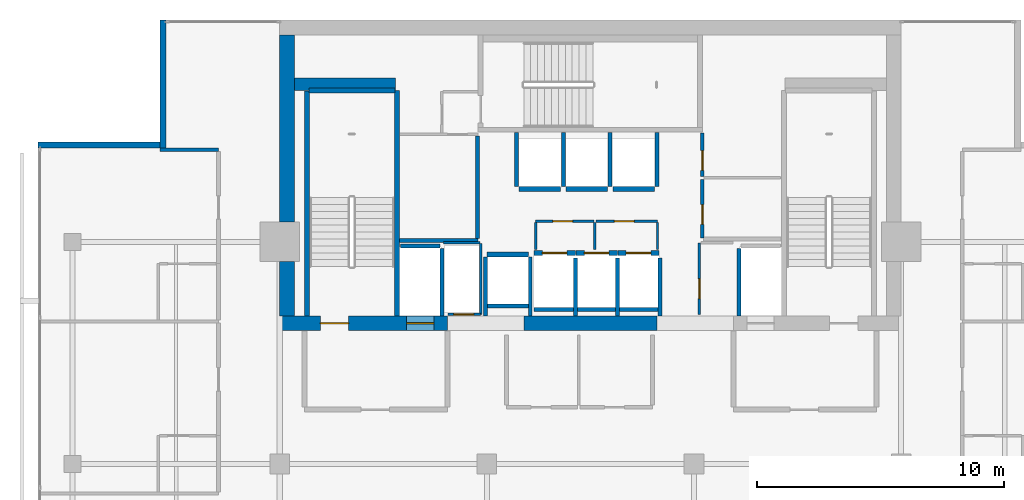
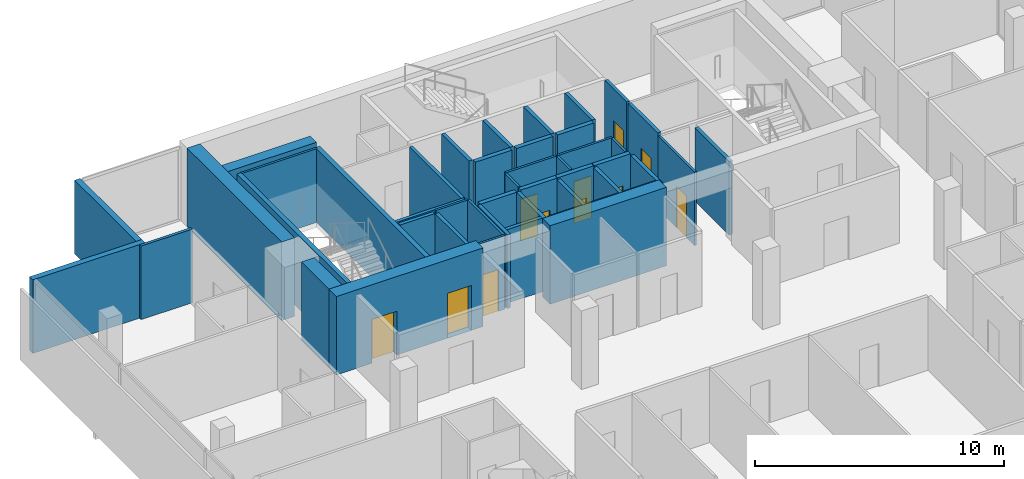
# One storey, part 22 of 26: 45 walls, 11 doors, 11 openings.
"""IFC4 building model written with IfcOpenShell, lengths in metres."""

import ifcopenshell
import ifcopenshell.guid

model = None  # the IFC model being written
_history = None  # IfcOwnerHistory: only IFC2X3 demands one
_inside = {}  # id of a spatial element -> (the spatial element, [elements in it])
_under = {}  # id of a project, library or spatial element -> (it, [spatial elements below it])
_declared = {}  # id of a project -> (the project, [libraries it declares])
_typed = {}  # id of a type object -> (the type object, [elements of that type])
_made_of = {}  # id of a material, layer set ... -> (it, [elements and type objects made of it])


def new_model(schema):
    """Start an empty IFC model of exactly this schema.

    Asked for "IFC4X3", IfcOpenShell would pick the latest addendum, in which some entities
    have other attributes; the version numbers below select the first issue.
    IFC2X3 requires an IfcOwnerHistory on every rooted entity: one is made here for all.
    """
    global model, _history
    if schema == "IFC4X3":
        model = ifcopenshell.file(schema_version=(4, 3, 0, 0))
    else:
        model = ifcopenshell.file(schema=schema)
    _inside.clear()
    _under.clear()
    _declared.clear()
    _typed.clear()
    _made_of.clear()
    _history = None
    if model.schema == "IFC2X3":
        org = make("IfcOrganization", Name="unknown")
        user = make(
            "IfcPersonAndOrganization",
            ThePerson=make("IfcPerson", FamilyName="unknown"),
            TheOrganization=org,
        )
        app = make(
            "IfcApplication",
            ApplicationDeveloper=org,
            Version="unknown",
            ApplicationFullName="unknown",
            ApplicationIdentifier="unknown",
        )
        _history = make(
            "IfcOwnerHistory",
            OwningUser=user,
            OwningApplication=app,
            ChangeAction="ADDED",
            CreationDate=0,
        )
    return model


def make(cls, **values):
    """One entity of the class cls with the attributes given. An attribute that is None is left unset."""
    return model.create_entity(
        cls, **{name: value for name, value in values.items() if value is not None}
    )


def rooted(cls, **values):
    """An entity with a GlobalId (a new one), such as an element, a storey or a relation."""
    return make(cls, GlobalId=ifcopenshell.guid.new(), OwnerHistory=_history, **values)


def si_unit(unit_type, name, prefix=None):
    """IfcSIUnit, for example si_unit("LENGTHUNIT", "METRE", prefix="MILLI")."""
    return make("IfcSIUnit", UnitType=unit_type, Prefix=prefix, Name=name)


def assignment(units):
    """IfcUnitAssignment: the units of a project."""
    return None if units is None else make("IfcUnitAssignment", Units=units)


def point(xyz):
    """IfcCartesianPoint."""
    return None if xyz is None else make("IfcCartesianPoint", Coordinates=xyz)


def direction(xyz):
    """IfcDirection."""
    return None if xyz is None else make("IfcDirection", DirectionRatios=xyz)


def frame(location, z_axis=None, x_axis=None):
    """IfcAxis2Placement3D, a coordinate frame: its origin and axes. An axis left out is left unset."""
    return make(
        "IfcAxis2Placement3D",
        Location=point(location),
        Axis=direction(z_axis),
        RefDirection=direction(x_axis),
    )


def frame_2d(location, x_axis=None):
    """IfcAxis2Placement2D, a coordinate frame in the plane: its origin and x axis."""
    return make(
        "IfcAxis2Placement2D", Location=point(location), RefDirection=direction(x_axis)
    )


def origin():
    """The frame at (0, 0, 0) with its axes left unset."""
    return frame((0.0, 0.0, 0.0))


def place(relative_to, where):
    """IfcLocalPlacement: puts the frame where relative to a parent placement (None: the world)."""
    return make(
        "IfcLocalPlacement", PlacementRelTo=relative_to, RelativePlacement=where
    )


def context(
    kind, dimensions, precision=None, world=None, true_north=None, identifier=None
):
    """IfcGeometricRepresentationContext, for example the 3D "Model" context."""
    return make(
        "IfcGeometricRepresentationContext",
        ContextIdentifier=identifier,
        ContextType=kind,
        CoordinateSpaceDimension=dimensions,
        Precision=precision,
        WorldCoordinateSystem=world,
        TrueNorth=true_north,
    )


def subcontext(parent, identifier, kind, view, scale=None):
    """IfcGeometricRepresentationSubContext, for example "Body" below "Model"."""
    return make(
        "IfcGeometricRepresentationSubContext",
        ContextIdentifier=identifier,
        ContextType=kind,
        ParentContext=parent,
        TargetScale=scale,
        TargetView=view,
    )


def project(units=None, contexts=None):
    """IfcProject with its units and contexts."""
    return rooted(
        "IfcProject",
        Name="project",
        RepresentationContexts=contexts,
        UnitsInContext=assignment(units),
    )


def spatial(cls, under=None, at=None, **own):
    """A site, building, storey or space (cls), placed at a placement, below another one or the project."""
    s = rooted(cls, ObjectPlacement=at, **own)
    if under is not None:
        _under.setdefault(under.id(), (under, []))[1].append(s)
    return s


def profile(cls, at=None, kind="AREA", **sizes):
    """A parametric profile (cls). Its sizes go by their IFC names, for example OverallWidth=200.0."""
    return make(cls, ProfileType=kind, Position=at, **sizes)


def rectangle(**sizes):
    """IfcRectangleProfileDef."""
    return profile("IfcRectangleProfileDef", **sizes)


def extrude(swept, where, along, depth):
    """IfcExtrudedAreaSolid: the profile swept, set in the frame where, extruded along a direction by depth."""
    return make(
        "IfcExtrudedAreaSolid",
        SweptArea=swept,
        Position=where,
        ExtrudedDirection=direction(along),
        Depth=depth,
    )


def shape(context_of_items, identifier, shape_type, items):
    """IfcShapeRepresentation: the items that make up one representation, for example the "Body"."""
    return make(
        "IfcShapeRepresentation",
        ContextOfItems=context_of_items,
        RepresentationIdentifier=identifier,
        RepresentationType=shape_type,
        Items=items,
    )


def material(Name=None, Category=None):
    """IfcMaterial."""
    return make("IfcMaterial", Name=Name, Category=Category)


def layer(
    of_material, thickness, ventilated=None, Name=None, Category=None, Priority=None
):
    """IfcMaterialLayer: one layer of a wall or slab, of a material (None: an air gap)."""
    return make(
        "IfcMaterialLayer",
        Material=of_material,
        LayerThickness=thickness,
        IsVentilated=ventilated,
        Name=Name,
        Category=Category,
        Priority=Priority,
    )


def layer_set(layers, Name=None):
    """IfcMaterialLayerSet."""
    return make("IfcMaterialLayerSet", MaterialLayers=layers, LayerSetName=Name)


def made_of(thing, what):
    """Note that an element or type object is made of a material, layer set ...; save() writes the relation."""
    if what is not None:
        _made_of.setdefault(what.id(), (what, []))[1].append(thing)
    return thing


def type_object(cls, material=None, **own):
    """A type object (cls), such as IfcWallType, which elements share."""
    return made_of(rooted(cls, **own), material)


def element(
    cls,
    number,
    at=None,
    inside=None,
    cuts=None,
    type_object=None,
    material=None,
    context=None,
    identifier="Body",
    shape_type=None,
    held_by="IfcProductDefinitionShape",
    body=None,
    shapes=None,
    **own,
):
    """One element of the class cls, such as IfcWall. Its Tag is "e" and its number.

    at: its placement. inside: the storey or other place that contains it. cuts: it is an
    opening in that element (IfcRelVoidsElement). A single representation is given by context,
    identifier, shape_type and body (its items); several are given by shapes. held_by: the class
    of the entity that holds the representations. save() writes the other relations.
    """
    e = rooted(cls, Tag="e%d" % number, ObjectPlacement=at, **own)
    if body is not None:
        shapes = [shape(context, identifier, shape_type, body)]
    if shapes is not None:
        e.Representation = make(held_by, Representations=shapes)
    if inside is not None:
        _inside.setdefault(inside.id(), (inside, []))[1].append(e)
    if cuts is not None:
        rooted(
            "IfcRelVoidsElement", RelatingBuildingElement=cuts, RelatedOpeningElement=e
        )
    if type_object is not None:
        _typed.setdefault(type_object.id(), (type_object, []))[1].append(e)
    return made_of(e, material)


def fill(opening, filler):
    """IfcRelFillsElement: the door or window that sits in an opening."""
    return rooted(
        "IfcRelFillsElement",
        RelatingOpeningElement=opening,
        RelatedBuildingElement=filler,
    )


def aggregate(whole, parts):
    """IfcRelAggregates: a whole, such as a stair, and the parts it consists of."""
    return rooted("IfcRelAggregates", RelatingObject=whole, RelatedObjects=parts)


def save(model, path):
    """Write the relations noted so far, then the file.

    IfcRelAggregates (storeys below a building ...), IfcRelContainedInSpatialStructure (elements
    in a storey), IfcRelDefinesByType, IfcRelAssociatesMaterial and IfcRelDeclares: one each for
    every whole, place, type object, material and project.
    """
    for whole, parts in _under.values():
        aggregate(whole, parts)
    for where, things in _inside.values():
        rooted(
            "IfcRelContainedInSpatialStructure",
            RelatedElements=things,
            RelatingStructure=where,
        )
    for kind, things in _typed.values():
        rooted("IfcRelDefinesByType", RelatedObjects=things, RelatingType=kind)
    for what, things in _made_of.values():
        rooted("IfcRelAssociatesMaterial", RelatedObjects=things, RelatingMaterial=what)
    for by, libraries in _declared.values():
        rooted("IfcRelDeclares", RelatingContext=by, RelatedDefinitions=libraries)
    model.write(path)


model = new_model("IFC4")

# Units and contexts
model_context = context("Model", 3, precision=1e-05, world=origin(), true_north=direction((0.0, 1.0)))
body_context = subcontext(model_context, "Body", "Model", "MODEL_VIEW")
ifc_project = project(units=[si_unit("LENGTHUNIT", "METRE"), si_unit("AREAUNIT", "SQUARE_METRE"), si_unit("VOLUMEUNIT", "CUBIC_METRE"), si_unit("PLANEANGLEUNIT", "RADIAN"), si_unit("MASSUNIT", "GRAM", prefix="KILO")], contexts=[model_context])

# Site, building, storey
site_placement = place(None, origin())
site = spatial("IfcSite", under=ifc_project, at=site_placement, CompositionType="ELEMENT")
building_placement = place(site_placement, origin())
building = spatial("IfcBuilding", under=site, at=building_placement, Name="Maruvema Waterfront Hotel and Observation Tower", CompositionType="ELEMENT")
storey_placement = place(building_placement, frame((0.0, 0.0, 266.35009765625)))
storey = spatial("IfcBuildingStorey", under=building, at=storey_placement, Name="L65", CompositionType="ELEMENT", Elevation=266.35009765625)

# Walls
ifc_material_1 = material(Name="Twin-stud acoustic gypsum drywall", Category="gypsum")
ifc_layer_1 = layer(ifc_material_1, 0.14990234375, Name="Acoustic Corridor and Suite Demising Wall 150 mm")
ifc_layer_set_1 = layer_set([ifc_layer_1], Name="Twin-stud acoustic gypsum drywall")
wall_type_1 = type_object("IfcWallType", Name="Acoustic Corridor and Suite Demising Wall 150 mm", PredefinedType="PARTITIONING", material=ifc_layer_set_1)
wall_1_placement = place(storey_placement, frame((30.06005859375, 45.06005859375, 0.0), z_axis=(0.0, 0.0, 1.0), x_axis=(1.0, 0.0, 0.0)))
element("IfcWall", 1, at=wall_1_placement, inside=storey, type_object=wall_type_1, Name="L65 Freed B1 South Wall 017", PredefinedType="PARTITIONING", context=body_context, shape_type="SweptSolid", body=[
    extrude(rectangle(XDim=3.179931640625, YDim=0.14990234375, at=frame_2d((1.58984375, 0.0))), origin(), (0.0, 0.0, 1.0), 3.60986328125),
])
wall_2_placement = place(storey_placement, frame((33.219970703125, 45.139892578125, 0.0), z_axis=(0.0, 0.0, 1.0), x_axis=(0.0, 1.0, 0.0)))
element("IfcWall", 2, at=wall_2_placement, inside=storey, type_object=wall_type_1, Name="L65 Freed B1 East Wall 018", PredefinedType="PARTITIONING", context=body_context, shape_type="SweptSolid", body=[
    extrude(rectangle(XDim=4.16015625, YDim=0.14990234375, at=frame_2d((2.080078125, 0.0))), origin(), (0.0, 0.0, 1.0), 3.60986328125),
])

# Wall, opening, door
wall_3_placement = place(storey_placement, frame((42.340087890625, 45.159912109375, 0.0), z_axis=(0.0, 0.0, 1.0), x_axis=(0.0, 1.0, 0.0)))
wall_3 = element("IfcWall", 3, at=wall_3_placement, inside=storey, type_object=wall_type_1, Name="L65 Freed B2 West S 022", PredefinedType="PARTITIONING", context=body_context, shape_type="SweptSolid", body=[
    extrude(rectangle(XDim=2.380126953125, YDim=0.14990234375, at=frame_2d((1.18994140625, 0.0))), origin(), (0.0, 0.0, 1.0), 3.60986328125),
])
opening_1_placement = place(wall_3_placement, frame((0.550048828125, 0.0, 0.0)))
opening_1 = element("IfcOpeningElement", 4, at=opening_1_placement, cuts=wall_3, Name="Opening DR-080", PredefinedType="OPENING", context=body_context, shape_type="SweptSolid", body=[
    extrude(rectangle(XDim=0.800048828125, YDim=2.050048828125, at=frame_2d((0.39990234375, 1.02490234375))), frame((0.0, 0.0849609375, 0.0), z_axis=(0.0, -1.0, 0.0), x_axis=(1.0, 0.0, 0.0)), (0.0, 0.0, 1.0), 0.169921875),
])
ifc_material_2 = material(Name="Powder-coated steel access leaf", Category="steel")
door_type_1 = type_object("IfcDoorType", Name="Riser and Service Cupboard Door 800x2050 mm", OperationType="NOTDEFINED", PredefinedType="DOOR", material=ifc_material_2)
door_1_placement = place(opening_1_placement, frame((0.800048828125, 0.0, 0.0), z_axis=(0.0, 0.0, 1.0), x_axis=(-1.0, 0.0, 0.0)))
door_1 = element("IfcDoor", 5, at=door_1_placement, inside=storey, type_object=door_type_1, Name="L65 Butler Service Pantry Door", OperationType="SINGLE_SWING_LEFT", OverallHeight=2.050048828125, OverallWidth=0.800048828125, PredefinedType="DOOR", context=body_context, shape_type="SweptSolid", body=[
    extrude(rectangle(XDim=0.800048828125, YDim=2.050048828125, at=frame_2d((0.39990234375, 1.02490234375))), frame((0.0, 0.02490234375, 0.0), z_axis=(0.0, -1.0, 0.0), x_axis=(1.0, 0.0, 0.0)), (0.0, 0.0, 1.0), 0.050048828125),
])
fill(opening_1, door_1)

wall_4_placement = place(storey_placement, frame((42.340087890625, 47.659912109375, 0.0), z_axis=(0.0, 0.0, 1.0), x_axis=(0.0, 1.0, 0.0)))
wall_4 = element("IfcWall", 6, at=wall_4_placement, inside=storey, type_object=wall_type_1, Name="L65 Freed B2 West N 023", PredefinedType="PARTITIONING", context=body_context, shape_type="SweptSolid", body=[
    extrude(rectangle(XDim=1.760009765625, YDim=0.14990234375, at=frame_2d((0.8798828125, 0.0))), origin(), (0.0, 0.0, 1.0), 3.60986328125),
])
opening_2_placement = place(wall_4_placement, frame((0.239990234375, 0.0, 0.0)))
opening_2 = element("IfcOpeningElement", 7, at=opening_2_placement, cuts=wall_4, Name="Opening DR-080", PredefinedType="OPENING", context=body_context, shape_type="SweptSolid", body=[
    extrude(rectangle(XDim=0.800048828125, YDim=2.050048828125, at=frame_2d((0.39990234375, 1.02490234375))), frame((0.0, 0.0849609375, 0.0), z_axis=(0.0, -1.0, 0.0), x_axis=(1.0, 0.0, 0.0)), (0.0, 0.0, 1.0), 0.169921875),
])
door_2_placement = place(opening_2_placement, frame((0.800048828125, 0.0, 0.0), z_axis=(0.0, 0.0, 1.0), x_axis=(-1.0, 0.0, 0.0)))
door_2 = element("IfcDoor", 8, at=door_2_placement, inside=storey, type_object=door_type_1, Name="L65 Core IT and Linen Store Door", OperationType="SINGLE_SWING_RIGHT", OverallHeight=2.050048828125, OverallWidth=0.800048828125, PredefinedType="DOOR", context=body_context, shape_type="SweptSolid", body=[
    extrude(rectangle(XDim=0.800048828125, YDim=2.050048828125, at=frame_2d((0.39990234375, 1.02490234375))), frame((0.0, 0.02490234375, 0.0), z_axis=(0.0, -1.0, 0.0), x_axis=(1.0, 0.0, 0.0)), (0.0, 0.0, 1.0), 0.050048828125),
])
fill(opening_2, door_2)

# Walls
ifc_material_3 = material(Name="Precast concrete C45/55", Category="concrete")
ifc_layer_2 = layer(ifc_material_3, 0.199951171875, Name="Core Shaft and Stairwell Enclosure Wall 200 mm")
ifc_layer_set_2 = layer_set([ifc_layer_2], Name="Precast concrete C45/55")
wall_type_2 = type_object("IfcWallType", Name="Core Shaft and Stairwell Enclosure Wall 200 mm", PredefinedType="SOLIDWALL", material=ifc_layer_set_2)
wall_5_placement = place(storey_placement, frame((29.949951171875, 42.0, 0.0), z_axis=(0.0, 0.0, 1.0), x_axis=(0.0, 1.0, 0.0)))
element("IfcWall", 9, at=wall_5_placement, inside=storey, type_object=wall_type_2, Name="L65 Stairwell ST-01 East Shaft Wall", PredefinedType="SOLIDWALL", context=body_context, shape_type="SweptSolid", body=[
    extrude(rectangle(XDim=9.14990234375, YDim=0.199951171875, at=frame_2d((4.574951171875, 0.0))), origin(), (0.0, 0.0, 1.0), 3.60986328125),
])
wall_6_placement = place(storey_placement, frame((26.300048828125, 42.0, 0.0), z_axis=(0.0, 0.0, 1.0), x_axis=(0.0, 1.0, 0.0)))
element("IfcWall", 10, at=wall_6_placement, inside=storey, type_object=wall_type_2, Name="L65 Stairwell ST-01 Shaft Lining Wall", PredefinedType="SOLIDWALL", context=body_context, shape_type="SweptSolid", body=[
    extrude(rectangle(XDim=9.1201171875, YDim=0.199951171875, at=frame_2d((4.56005859375, 0.0))), origin(), (0.0, 0.0, 1.0), 3.60986328125),
])
wall_7_placement = place(storey_placement, frame((26.3798828125, 51.14990234375, 0.0), z_axis=(0.0, 0.0, 1.0), x_axis=(1.0, 0.0, 0.0)))
element("IfcWall", 11, at=wall_7_placement, inside=storey, type_object=wall_type_2, Name="L65 Stairwell ST-01 Shaft Lining Wall", PredefinedType="SOLIDWALL", context=body_context, shape_type="SweptSolid", body=[
    extrude(rectangle(XDim=3.5, YDim=0.199951171875, at=frame_2d((1.75, 0.0))), origin(), (0.0, 0.0, 1.0), 3.60986328125),
])

# Wall, opening, door
wall_8_placement = place(storey_placement, frame((35.510009765625, 44.550048828125, 0.0), z_axis=(0.0, 0.0, 1.0), x_axis=(1.0, 0.0, 0.0)))
wall_8 = element("IfcWall", 12, at=wall_8_placement, inside=storey, type_object=wall_type_2, Name="L65 Lift LF-09 Hoistway Front Wall", PredefinedType="SOLIDWALL", context=body_context, shape_type="SweptSolid", body=[
    extrude(rectangle(XDim=1.679931640625, YDim=0.199951171875, at=frame_2d((0.83984375, 0.0))), origin(), (0.0, 0.0, 1.0), 3.60986328125),
])
opening_3_placement = place(wall_8_placement, frame((0.340087890625, 0.0, 0.0)))
opening_3 = element("IfcOpeningElement", 13, at=opening_3_placement, cuts=wall_8, Name="Opening LD-01", PredefinedType="OPENING", context=body_context, shape_type="SweptSolid", body=[
    extrude(rectangle(XDim=1.0, YDim=2.14990234375, at=frame_2d((0.5, 1.074951171875))), frame((0.0, 0.10986328125, 0.0), z_axis=(0.0, -1.0, 0.0), x_axis=(1.0, 0.0, 0.0)), (0.0, 0.0, 1.0), 0.219970703125),
])
ifc_material_4 = material(Name="Brushed stainless steel Grade 316", Category="steel")
door_type_2 = type_object("IfcDoorType", Name="Passenger Lift Sliding Landing Door 1000x2150 mm", OperationType="SLIDING_TO_LEFT", PredefinedType="DOOR", material=ifc_material_4)
door_3_placement = place(opening_3_placement, origin())
door_3 = element("IfcDoor", 14, at=door_3_placement, inside=storey, type_object=door_type_2, Name="L65 Lift LF-09 Sliding Landing Door", OperationType="SLIDING_TO_LEFT", OverallHeight=2.14990234375, OverallWidth=1.0, PredefinedType="DOOR", context=body_context, shape_type="SweptSolid", body=[
    extrude(rectangle(XDim=1.0, YDim=2.14990234375, at=frame_2d((0.5, 1.074951171875))), frame((0.0, 0.02490234375, 0.0), z_axis=(0.0, -1.0, 0.0), x_axis=(1.0, 0.0, 0.0)), (0.0, 0.0, 1.0), 0.050048828125),
])
fill(opening_3, door_3)

wall_9_placement = place(storey_placement, frame((37.2099609375, 44.550048828125, 0.0), z_axis=(0.0, 0.0, 1.0), x_axis=(1.0, 0.0, 0.0)))
wall_9 = element("IfcWall", 15, at=wall_9_placement, inside=storey, type_object=wall_type_2, Name="L65 Lift LF-10 Hoistway Front Wall", PredefinedType="SOLIDWALL", context=body_context, shape_type="SweptSolid", body=[
    extrude(rectangle(XDim=1.679931640625, YDim=0.199951171875, at=frame_2d((0.83984375, 0.0))), origin(), (0.0, 0.0, 1.0), 3.60986328125),
])
opening_4_placement = place(wall_9_placement, frame((0.340087890625, 0.0, 0.0)))
opening_4 = element("IfcOpeningElement", 16, at=opening_4_placement, cuts=wall_9, Name="Opening LD-01", PredefinedType="OPENING", context=body_context, shape_type="SweptSolid", body=[
    extrude(rectangle(XDim=1.0, YDim=2.14990234375, at=frame_2d((0.5, 1.074951171875))), frame((0.0, 0.10986328125, 0.0), z_axis=(0.0, -1.0, 0.0), x_axis=(1.0, 0.0, 0.0)), (0.0, 0.0, 1.0), 0.219970703125),
])
door_4_placement = place(opening_4_placement, origin())
door_4 = element("IfcDoor", 17, at=door_4_placement, inside=storey, type_object=door_type_2, Name="L65 Lift LF-10 Sliding Landing Door", OperationType="SLIDING_TO_LEFT", OverallHeight=2.14990234375, OverallWidth=1.0, PredefinedType="DOOR", context=body_context, shape_type="SweptSolid", body=[
    extrude(rectangle(XDim=1.0, YDim=2.14990234375, at=frame_2d((0.5, 1.074951171875))), frame((0.0, 0.02490234375, 0.0), z_axis=(0.0, -1.0, 0.0), x_axis=(1.0, 0.0, 0.0)), (0.0, 0.0, 1.0), 0.050048828125),
])
fill(opening_4, door_4)

wall_10_placement = place(storey_placement, frame((38.909912109375, 44.550048828125, 0.0), z_axis=(0.0, 0.0, 1.0), x_axis=(1.0, 0.0, 0.0)))
wall_10 = element("IfcWall", 18, at=wall_10_placement, inside=storey, type_object=wall_type_2, Name="L65 Lift LF-11 Hoistway Front Wall", PredefinedType="SOLIDWALL", context=body_context, shape_type="SweptSolid", body=[
    extrude(rectangle(XDim=1.68017578125, YDim=0.199951171875, at=frame_2d((0.840087890625, 0.0))), origin(), (0.0, 0.0, 1.0), 3.60986328125),
])
opening_5_placement = place(wall_10_placement, frame((0.340087890625, 0.0, 0.0)))
opening_5 = element("IfcOpeningElement", 19, at=opening_5_placement, cuts=wall_10, Name="Opening LD-01", PredefinedType="OPENING", context=body_context, shape_type="SweptSolid", body=[
    extrude(rectangle(XDim=1.0, YDim=2.14990234375, at=frame_2d((0.5, 1.074951171875))), frame((0.0, 0.10986328125, 0.0), z_axis=(0.0, -1.0, 0.0), x_axis=(1.0, 0.0, 0.0)), (0.0, 0.0, 1.0), 0.219970703125),
])
door_5_placement = place(opening_5_placement, origin())
door_5 = element("IfcDoor", 20, at=door_5_placement, inside=storey, type_object=door_type_2, Name="L65 Lift LF-11 Sliding Landing Door", OperationType="SLIDING_TO_LEFT", OverallHeight=2.14990234375, OverallWidth=1.0, PredefinedType="DOOR", context=body_context, shape_type="SweptSolid", body=[
    extrude(rectangle(XDim=1.0, YDim=2.14990234375, at=frame_2d((0.5, 1.074951171875))), frame((0.0, 0.02490234375, 0.0), z_axis=(0.0, -1.0, 0.0), x_axis=(1.0, 0.0, 0.0)), (0.0, 0.0, 1.0), 0.050048828125),
])
fill(opening_5, door_5)

# Walls
wall_11_placement = place(storey_placement, frame((34.909912109375, 47.14990234375, 0.0), z_axis=(0.0, 0.0, 1.0), x_axis=(1.0, 0.0, 0.0)))
element("IfcWall", 21, at=wall_11_placement, inside=storey, type_object=wall_type_2, Name="L65 Lift LF-12 Hoistway Front Wall", PredefinedType="SOLIDWALL", context=body_context, shape_type="SweptSolid", body=[
    extrude(rectangle(XDim=1.68017578125, YDim=0.199951171875, at=frame_2d((0.840087890625, 0.0))), origin(), (0.0, 0.0, 1.0), 3.60986328125),
])
for number, where, z_axis, x_axis, name in (
    (22, (36.81005859375, 47.14990234375, 0.0), (0.0, 0.0, 1.0), (1.0, 0.0, 0.0), "L65 Lift LF-13 Hoistway Front Wall"),
    (23, (38.7099609375, 47.14990234375, 0.0), (0.0, 0.0, 1.0), (1.0, 0.0, 0.0), "L65 Lift LF-14 Hoistway Front Wall"),
    (24, (33.610107421875, 44.5, 0.0), (0.0, 0.0, 1.0), (1.0, 0.0, 0.0), "L65 Lift LF-15 Hoistway Front Wall"),
):
    element("IfcWall", number, at=place(storey_placement, frame(where, z_axis=z_axis, x_axis=x_axis)), inside=storey, type_object=wall_type_2, Name=name, PredefinedType="SOLIDWALL", context=body_context, shape_type="SweptSolid", body=[
        extrude(rectangle(XDim=1.679931640625, YDim=0.199951171875, at=frame_2d((0.83984375, 0.0))), origin(), (0.0, 0.0, 1.0), 3.60986328125),
    ])
ifc_material_5 = material(Name="Concrete C70/85", Category="concrete")
ifc_layer_3 = layer(ifc_material_5, 0.5, Name="Core Shear Wall 500 mm")
ifc_layer_set_3 = layer_set([ifc_layer_3], Name="Concrete C70/85")
wall_type_3 = type_object("IfcWallType", Name="Core Shear Wall 500 mm", PredefinedType="SHEAR", material=ifc_layer_set_3)
wall_12_placement = place(storey_placement, frame((25.800048828125, 51.39990234375, 0.0), z_axis=(0.0, 0.0, 1.0), x_axis=(1.0, 0.0, 0.0)))
element("IfcWall", 25, at=wall_12_placement, inside=storey, type_object=wall_type_3, Name="L65 Internal Core Shear Wall NW 500 mm", PredefinedType="SHEAR", context=body_context, shape_type="SweptSolid", body=[
    extrude(rectangle(XDim=4.099853515625, YDim=0.5, at=frame_2d((2.0498046875, 0.0))), origin(), (0.0, 0.0, 1.0), 3.849853515625),
])

# Wall, openings, doors
ifc_material_6 = material(Name="Concrete C60/75", Category="concrete")
ifc_layer_4 = layer(ifc_material_6, 0.60009765625, Name="Core Shear Wall 600 mm")
ifc_layer_set_4 = layer_set([ifc_layer_4], Name="Concrete C60/75")
wall_type_4 = type_object("IfcWallType", Name="Core Shear Wall 600 mm", PredefinedType="SHEAR", material=ifc_layer_set_4)
wall_13_placement = place(storey_placement, frame((25.199951171875, 41.699951171875, 0.0), z_axis=(0.0, 0.0, 1.0), x_axis=(1.0, 0.0, 0.0)))
wall_13 = element("IfcWall", 26, at=wall_13_placement, inside=storey, type_object=wall_type_4, Name="L65 South-West Core Shear Wall", PredefinedType="SHEAR", context=body_context, shape_type="SweptSolid", body=[
    extrude(rectangle(XDim=6.800048828125, YDim=0.60009765625, at=frame_2d((3.39990234375, 0.0))), origin(), (0.0, 0.0, 1.0), 3.849853515625),
])
opening_6_placement = place(wall_13_placement, frame((1.64990234375, 0.0, 0.0)))
opening_6 = element("IfcOpeningElement", 27, at=opening_6_placement, cuts=wall_13, Name="Opening SD-01", PredefinedType="OPENING", context=body_context, shape_type="SweptSolid", body=[
    extrude(rectangle(XDim=1.14990234375, YDim=2.14990234375, at=frame_2d((0.574951171875, 1.074951171875))), frame((0.0, 0.31005859375, 0.0), z_axis=(0.0, -1.0, 0.0), x_axis=(1.0, 0.0, 0.0)), (0.0, 0.0, 1.0), 0.6201171875),
])
opening_7_placement = place(wall_13_placement, frame((5.14990234375, 0.0, 0.0)))
opening_7 = element("IfcOpeningElement", 28, at=opening_7_placement, cuts=wall_13, Name="Opening LD-03", PredefinedType="OPENING", context=body_context, shape_type="SweptSolid", body=[
    extrude(rectangle(XDim=1.10009765625, YDim=2.199951171875, at=frame_2d((0.550048828125, 1.10009765625))), frame((0.0, 0.31005859375, 0.0), z_axis=(0.0, -1.0, 0.0), x_axis=(1.0, 0.0, 0.0)), (0.0, 0.0, 1.0), 0.6201171875),
])
ifc_material_7 = material(Name="Fire-rated galvanised steel leaf", Category="steel")
door_type_3 = type_object("IfcDoorType", Name="Exit Stair Fire Door 1150x2150 mm", OperationType="NOTDEFINED", PredefinedType="DOOR", material=ifc_material_7)
door_6_placement = place(opening_6_placement, origin())
door_6 = element("IfcDoor", 29, at=door_6_placement, inside=storey, type_object=door_type_3, Name="L65 Exit Stair ST-01 Fire Door", OperationType="SINGLE_SWING_LEFT", OverallHeight=2.14990234375, OverallWidth=1.14990234375, PredefinedType="DOOR", context=body_context, shape_type="SweptSolid", body=[
    extrude(rectangle(XDim=1.14990234375, YDim=2.14990234375, at=frame_2d((0.574951171875, 1.074951171875))), frame((0.0, 0.02490234375, 0.0), z_axis=(0.0, -1.0, 0.0), x_axis=(1.0, 0.0, 0.0)), (0.0, 0.0, 1.0), 0.050048828125),
])
fill(opening_6, door_6)
ifc_material_8 = material(Name="Brushed stainless steel Grade 316", Category="steel")
door_type_4 = type_object("IfcDoorType", Name="Firefighting Lift Sliding Landing Door 1100x2200 mm", OperationType="SLIDING_TO_LEFT", PredefinedType="DOOR", material=ifc_material_8)
door_7_placement = place(opening_7_placement, frame((1.10009765625, 0.0, 0.0), z_axis=(0.0, 0.0, 1.0), x_axis=(-1.0, 0.0, 0.0)))
door_7 = element("IfcDoor", 30, at=door_7_placement, inside=storey, type_object=door_type_4, Name="L65 Firefighting Lift FL-01 Landing Door", OperationType="SLIDING_TO_LEFT", OverallHeight=2.199951171875, OverallWidth=1.10009765625, PredefinedType="DOOR", context=body_context, shape_type="SweptSolid", body=[
    extrude(rectangle(XDim=1.10009765625, YDim=2.199951171875, at=frame_2d((0.550048828125, 1.10009765625))), frame((0.0, 0.02490234375, 0.0), z_axis=(0.0, -1.0, 0.0), x_axis=(1.0, 0.0, 0.0)), (0.0, 0.0, 1.0), 0.050048828125),
])
fill(opening_7, door_7)

# Walls
wall_14_placement = place(storey_placement, frame((35.10009765625, 41.699951171875, 0.0), z_axis=(0.0, 0.0, 1.0), x_axis=(1.0, 0.0, 0.0)))
element("IfcWall", 31, at=wall_14_placement, inside=storey, type_object=wall_type_4, Name="L65 South-Central Core Shear Wall", PredefinedType="SHEAR", context=body_context, shape_type="SweptSolid", body=[
    extrude(rectangle(XDim=5.39990234375, YDim=0.60009765625, at=frame_2d((2.699951171875, 0.0))), origin(), (0.0, 0.0, 1.0), 3.849853515625),
])
wall_15_placement = place(storey_placement, frame((25.5, 42.0, 0.0), z_axis=(0.0, 0.0, 1.0), x_axis=(0.0, 1.0, 0.0)))
element("IfcWall", 32, at=wall_15_placement, inside=storey, type_object=wall_type_4, Name="L65 West-South Core Shear Wall", PredefinedType="SHEAR", context=body_context, shape_type="SweptSolid", body=[
    extrude(rectangle(XDim=2.199951171875, YDim=0.60009765625, at=frame_2d((1.10009765625, 0.0))), origin(), (0.0, 0.0, 1.0), 3.849853515625),
])
wall_16_placement = place(storey_placement, frame((25.5, 45.800048828125, 0.0), z_axis=(0.0, 0.0, 1.0), x_axis=(0.0, 1.0, 0.0)))
element("IfcWall", 33, at=wall_16_placement, inside=storey, type_object=wall_type_4, Name="L65 West-North Core Shear Wall", PredefinedType="SHEAR", context=body_context, shape_type="SweptSolid", body=[
    extrude(rectangle(XDim=7.599853515625, YDim=0.60009765625, at=frame_2d((3.7998046875, 0.0))), origin(), (0.0, 0.0, 1.0), 3.849853515625),
])

# Wall, opening, door
ifc_material_9 = material(Name="Moisture-resistant cement-board drywall", Category="gypsum")
ifc_layer_5 = layer(ifc_material_9, 0.10009765625, Name="En-Suite Moisture-Resistant Partition 100 mm")
ifc_layer_set_5 = layer_set([ifc_layer_5], Name="Moisture-resistant cement-board drywall")
wall_type_5 = type_object("IfcWallType", Name="En-Suite Moisture-Resistant Partition 100 mm", PredefinedType="PARTITIONING", material=ifc_layer_set_5)
wall_17_placement = place(storey_placement, frame((32.02001953125, 42.06005859375, 0.0), z_axis=(0.0, 0.0, 1.0), x_axis=(1.0, 0.0, 0.0)))
wall_17 = element("IfcWall", 34, at=wall_17_placement, inside=storey, type_object=wall_type_5, Name="L65 Telecom Riser South Wall 007", PredefinedType="PARTITIONING", context=body_context, shape_type="SweptSolid", body=[
    extrude(rectangle(XDim=1.320068359375, YDim=0.10009765625, at=frame_2d((0.66015625, 0.0))), origin(), (0.0, 0.0, 1.0), 3.60986328125),
])
opening_8_placement = place(wall_17_placement, frame((0.239990234375, 0.0, 0.0)))
opening_8 = element("IfcOpeningElement", 35, at=opening_8_placement, cuts=wall_17, Name="Opening DR-080", PredefinedType="OPENING", context=body_context, shape_type="SweptSolid", body=[
    extrude(rectangle(XDim=0.800048828125, YDim=2.050048828125, at=frame_2d((0.39990234375, 1.02490234375))), frame((0.0, 0.06005859375, 0.0), z_axis=(0.0, -1.0, 0.0), x_axis=(1.0, 0.0, 0.0)), (0.0, 0.0, 1.0), 0.1201171875),
])
door_8_placement = place(opening_8_placement, frame((0.800048828125, 0.0, 0.0), z_axis=(0.0, 0.0, 1.0), x_axis=(-1.0, 0.0, 0.0)))
door_8 = element("IfcDoor", 36, at=door_8_placement, inside=storey, type_object=door_type_1, Name="L65 Telecom Riser Door", OperationType="SINGLE_SWING_LEFT", OverallHeight=2.050048828125, OverallWidth=0.800048828125, PredefinedType="DOOR", context=body_context, shape_type="SweptSolid", body=[
    extrude(rectangle(XDim=0.800048828125, YDim=2.050048828125, at=frame_2d((0.39990234375, 1.02490234375))), frame((0.0, 0.02490234375, 0.0), z_axis=(0.0, -1.0, 0.0), x_axis=(1.0, 0.0, 0.0)), (0.0, 0.0, 1.0), 0.050048828125),
])
fill(opening_8, door_8)

# Walls
wall_18_placement = place(storey_placement, frame((31.840087890625, 44.9599609375, 0.0), z_axis=(0.0, 0.0, 1.0), x_axis=(1.0, 0.0, 0.0)))
element("IfcWall", 37, at=wall_18_placement, inside=storey, type_object=wall_type_5, Name="L65 Telecom Riser North Wall 008", PredefinedType="PARTITIONING", context=body_context, shape_type="SweptSolid", body=[
    extrude(rectangle(XDim=1.47998046875, YDim=0.10009765625, at=frame_2d((0.739990234375, 0.0))), origin(), (0.0, 0.0, 1.0), 3.60986328125),
])
wall_19_placement = place(storey_placement, frame((33.360107421875, 42.06005859375, 0.0), z_axis=(0.0, 0.0, 1.0), x_axis=(0.0, 1.0, 0.0)))
element("IfcWall", 38, at=wall_19_placement, inside=storey, type_object=wall_type_5, Name="L65 Telecom Riser East Wall 009", PredefinedType="PARTITIONING", context=body_context, shape_type="SweptSolid", body=[
    extrude(rectangle(XDim=2.8798828125, YDim=0.10009765625, at=frame_2d((1.43994140625, 0.0))), origin(), (0.0, 0.0, 1.0), 3.60986328125),
])

# Wall, opening, door
wall_20_placement = place(storey_placement, frame((35.580078125, 45.840087890625, 0.0), z_axis=(0.0, 0.0, 1.0), x_axis=(1.0, 0.0, 0.0)))
wall_20 = element("IfcWall", 39, at=wall_20_placement, inside=storey, type_object=wall_type_5, Name="L65 Core Closet K2A North 010", PredefinedType="PARTITIONING", context=body_context, shape_type="SweptSolid", body=[
    extrude(rectangle(XDim=2.35986328125, YDim=0.10009765625, at=frame_2d((1.179931640625, 0.0))), origin(), (0.0, 0.0, 1.0), 3.60986328125),
])
opening_9_placement = place(wall_20_placement, frame((0.699951171875, 0.0, 0.0)))
opening_9 = element("IfcOpeningElement", 40, at=opening_9_placement, cuts=wall_20, Name="Opening DR-080", PredefinedType="OPENING", context=body_context, shape_type="SweptSolid", body=[
    extrude(rectangle(XDim=0.800048828125, YDim=2.050048828125, at=frame_2d((0.39990234375, 1.02490234375))), frame((0.0, 0.06005859375, 0.0), z_axis=(0.0, -1.0, 0.0), x_axis=(1.0, 0.0, 0.0)), (0.0, 0.0, 1.0), 0.1201171875),
])
door_9_placement = place(opening_9_placement, origin())
door_9 = element("IfcDoor", 41, at=door_9_placement, inside=storey, type_object=door_type_1, Name="L65 Core IT Closet Door", OperationType="SINGLE_SWING_RIGHT", OverallHeight=2.050048828125, OverallWidth=0.800048828125, PredefinedType="DOOR", context=body_context, shape_type="SweptSolid", body=[
    extrude(rectangle(XDim=0.800048828125, YDim=2.050048828125, at=frame_2d((0.39990234375, 1.02490234375))), frame((0.0, 0.02490234375, 0.0), z_axis=(0.0, -1.0, 0.0), x_axis=(1.0, 0.0, 0.0)), (0.0, 0.0, 1.0), 0.050048828125),
])
fill(opening_9, door_9)

wall_21_placement = place(storey_placement, frame((38.02001953125, 45.840087890625, 0.0), z_axis=(0.0, 0.0, 1.0), x_axis=(1.0, 0.0, 0.0)))
wall_21 = element("IfcWall", 42, at=wall_21_placement, inside=storey, type_object=wall_type_5, Name="L65 Core Closet K2B North 011", PredefinedType="PARTITIONING", context=body_context, shape_type="SweptSolid", body=[
    extrude(rectangle(XDim=2.5, YDim=0.10009765625, at=frame_2d((1.25, 0.0))), origin(), (0.0, 0.0, 1.0), 3.60986328125),
])
opening_10_placement = place(wall_21_placement, frame((0.75, 0.0, 0.0)))
opening_10 = element("IfcOpeningElement", 43, at=opening_10_placement, cuts=wall_21, Name="Opening DR-080", PredefinedType="OPENING", context=body_context, shape_type="SweptSolid", body=[
    extrude(rectangle(XDim=0.800048828125, YDim=2.050048828125, at=frame_2d((0.39990234375, 1.02490234375))), frame((0.0, 0.06005859375, 0.0), z_axis=(0.0, -1.0, 0.0), x_axis=(1.0, 0.0, 0.0)), (0.0, 0.0, 1.0), 0.1201171875),
])
door_10_placement = place(opening_10_placement, origin())
door_10 = element("IfcDoor", 44, at=door_10_placement, inside=storey, type_object=door_type_1, Name="L65 Core Linen Cupboard Door", OperationType="SINGLE_SWING_LEFT", OverallHeight=2.050048828125, OverallWidth=0.800048828125, PredefinedType="DOOR", context=body_context, shape_type="SweptSolid", body=[
    extrude(rectangle(XDim=0.800048828125, YDim=2.050048828125, at=frame_2d((0.39990234375, 1.02490234375))), frame((0.0, 0.02490234375, 0.0), z_axis=(0.0, -1.0, 0.0), x_axis=(1.0, 0.0, 0.0)), (0.0, 0.0, 1.0), 0.050048828125),
])
fill(opening_10, door_10)

# Walls
for number, where, z_axis, x_axis, name in (
    (45, (35.580078125, 44.699951171875, 0.0), (0.0, 0.0, 1.0), (0.0, 1.0, 0.0), "L65 Core Closet K2 West 012"),
    (46, (37.97998046875, 44.699951171875, 0.0), (0.0, 0.0, 1.0), (0.0, 1.0, 0.0), "L65 Core Closet K2 Mid 013"),
    (47, (40.52001953125, 44.699951171875, 0.0), (0.0, 0.0, 1.0), (0.0, 1.0, 0.0), "L65 Core Closet K2 East 014"),
):
    element("IfcWall", number, at=place(storey_placement, frame(where, z_axis=z_axis, x_axis=x_axis)), inside=storey, type_object=wall_type_5, Name=name, PredefinedType="PARTITIONING", context=body_context, shape_type="SweptSolid", body=[
        extrude(rectangle(XDim=1.080078125, YDim=0.10009765625, at=frame_2d((0.5400390625, 0.0))), origin(), (0.0, 0.0, 1.0), 3.60986328125),
    ])

# Wall, opening, door
wall_22_placement = place(storey_placement, frame((42.219970703125, 42.050048828125, 0.0), z_axis=(0.0, 0.0, 1.0), x_axis=(0.0, 1.0, 0.0)))
wall_22 = element("IfcWall", 48, at=wall_22_placement, inside=storey, type_object=wall_type_5, Name="L65 Core Closet K2C West 015", PredefinedType="PARTITIONING", context=body_context, shape_type="SweptSolid", body=[
    extrude(rectangle(XDim=2.909912109375, YDim=0.10009765625, at=frame_2d((1.455078125, 0.0))), origin(), (0.0, 0.0, 1.0), 3.60986328125),
])
opening_11_placement = place(wall_22_placement, frame((0.64990234375, 0.0, 0.0)))
opening_11 = element("IfcOpeningElement", 49, at=opening_11_placement, cuts=wall_22, Name="Opening DR-080", PredefinedType="OPENING", context=body_context, shape_type="SweptSolid", body=[
    extrude(rectangle(XDim=0.800048828125, YDim=2.050048828125, at=frame_2d((0.39990234375, 1.02490234375))), frame((0.0, 0.06005859375, 0.0), z_axis=(0.0, -1.0, 0.0), x_axis=(1.0, 0.0, 0.0)), (0.0, 0.0, 1.0), 0.1201171875),
])
door_11_placement = place(opening_11_placement, frame((0.800048828125, 0.0, 0.0), z_axis=(0.0, 0.0, 1.0), x_axis=(-1.0, 0.0, 0.0)))
door_11 = element("IfcDoor", 50, at=door_11_placement, inside=storey, type_object=door_type_1, Name="L65 Core Housekeeping Closet Door", OperationType="SINGLE_SWING_RIGHT", OverallHeight=2.050048828125, OverallWidth=0.800048828125, PredefinedType="DOOR", context=body_context, shape_type="SweptSolid", body=[
    extrude(rectangle(XDim=0.800048828125, YDim=2.050048828125, at=frame_2d((0.39990234375, 1.02490234375))), frame((0.0, 0.02490234375, 0.0), z_axis=(0.0, -1.0, 0.0), x_axis=(1.0, 0.0, 0.0)), (0.0, 0.0, 1.0), 0.050048828125),
])
fill(opening_11, door_11)

# Walls
ifc_material_10 = material(Name="Precast concrete C45/55 with honed Pernambuco granite facing", Category="masonry")
ifc_layer_6 = layer(ifc_material_10, 0.260009765625, Name="Exterior Granite Clad Spandrel and Pier Wall 260 mm")
ifc_layer_set_6 = layer_set([ifc_layer_6], Name="Precast concrete C45/55 with honed Pernambuco granite facing")
wall_type_6 = type_object("IfcWallType", Name="Exterior Granite Clad Spandrel and Pier Wall 260 mm", PredefinedType="SOLIDWALL", material=ifc_layer_set_6)
wall_23_placement = place(storey_placement, frame((20.469970703125, 48.800048828125, 0.0), z_axis=(0.0, 0.0, 1.0), x_axis=(0.0, 1.0, 0.0)))
element("IfcWall", 51, at=wall_23_placement, inside=storey, type_object=wall_type_6, Name="L65 Corner Notch Granite Pier Wall NW1", PredefinedType="SOLIDWALL", context=body_context, shape_type="SweptSolid", body=[
    extrude(rectangle(XDim=5.199951171875, YDim=0.260009765625, at=frame_2d((2.60009765625, 0.0))), origin(), (0.0, 0.0, 1.0), 3.60986328125),
])
wall_24_placement = place(storey_placement, frame((15.39990234375, 48.929931640625, 0.0), z_axis=(0.0, 0.0, 1.0), x_axis=(1.0, 0.0, 0.0)))
element("IfcWall", 52, at=wall_24_placement, inside=storey, type_object=wall_type_6, Name="L65 Corner Notch Granite Pier Wall NW2", PredefinedType="SOLIDWALL", context=body_context, shape_type="SweptSolid", body=[
    extrude(rectangle(XDim=5.2001953125, YDim=0.260009765625, at=frame_2d((2.60009765625, 0.0))), origin(), (0.0, 0.0, 1.0), 3.60986328125),
])
ifc_material_11 = material(Name="Acoustic gypsum plasterboard drywall", Category="gypsum")
ifc_layer_7 = layer(ifc_material_11, 0.125, Name="Guestroom Acoustic Demising Wall 125 mm")
ifc_layer_set_7 = layer_set([ifc_layer_7], Name="Acoustic gypsum plasterboard drywall")
wall_type_7 = type_object("IfcWallType", Name="Guestroom Acoustic Demising Wall 125 mm", PredefinedType="PARTITIONING", material=ifc_layer_set_7)
wall_25_placement = place(storey_placement, frame((20.340087890625, 48.737548828125, 0.0), z_axis=(0.0, 0.0, 1.0), x_axis=(1.0, 0.0, 0.0)))
element("IfcWall", 53, at=wall_25_placement, inside=storey, type_object=wall_type_7, Name="L65 Z3 NW Top End 091", PredefinedType="PARTITIONING", context=body_context, shape_type="SweptSolid", body=[
    extrude(rectangle(XDim=2.3798828125, YDim=0.125, at=frame_2d((1.18994140625, 0.0))), origin(), (0.0, 0.0, 1.0), 3.60986328125),
])
ifc_material_12 = material(Name="Precast concrete C45/55", Category="concrete")
ifc_layer_8 = layer(ifc_material_12, 0.159912109375, Name="Lift Hoistway Divider Wall 160 mm")
ifc_layer_set_8 = layer_set([ifc_layer_8], Name="Precast concrete C45/55")
wall_type_8 = type_object("IfcWallType", Name="Lift Hoistway Divider Wall 160 mm", PredefinedType="SOLIDWALL", material=ifc_layer_set_8)
wall_26_placement = place(storey_placement, frame((30.10009765625, 44.830078125, 0.0), z_axis=(0.0, 0.0, 1.0), x_axis=(1.0, 0.0, 0.0)))
element("IfcWall", 54, at=wall_26_placement, inside=storey, type_object=wall_type_8, Name="L65 Lift FL-01 Rear Hoistway Wall", PredefinedType="SOLIDWALL", context=body_context, shape_type="SweptSolid", body=[
    extrude(rectangle(XDim=1.599853515625, YDim=0.159912109375, at=frame_2d((0.7998046875, 0.0))), origin(), (0.0, 0.0, 1.0), 3.60986328125),
])
for number, where, z_axis, x_axis, name in (
    (55, (31.780029296875, 42.0, 0.0), (0.0, 0.0, 1.0), (0.0, 1.0, 0.0), "L65 Lift FL-01 Inner Hoistway Wall"),
    (56, (43.820068359375, 42.0, 0.0), (0.0, 0.0, 1.0), (0.0, 1.0, 0.0), "L65 Lift FL-02 Inner Hoistway Wall"),
):
    element("IfcWall", number, at=place(storey_placement, frame(where, z_axis=z_axis, x_axis=x_axis)), inside=storey, type_object=wall_type_8, Name=name, PredefinedType="SOLIDWALL", context=body_context, shape_type="SweptSolid", body=[
        extrude(rectangle(XDim=2.739990234375, YDim=0.159912109375, at=frame_2d((1.3701171875, 0.0))), origin(), (0.0, 0.0, 1.0), 3.60986328125),
    ])
for number, where, z_axis, x_axis, name in (
    (57, (37.199951171875, 42.0, 0.0), (0.0, 0.0, 1.0), (0.0, 1.0, 0.0), "L65 Hoistway Divider Wall"),
    (58, (38.89990234375, 42.0, 0.0), (0.0, 0.0, 1.0), (0.0, 1.0, 0.0), "L65 Hoistway Divider Wall"),
    (59, (40.6201171875, 42.0, 0.0), (0.0, 0.0, 1.0), (0.0, 1.0, 0.0), "L65 Hoistway Divider Wall"),
):
    element("IfcWall", number, at=place(storey_placement, frame(where, z_axis=z_axis, x_axis=x_axis)), inside=storey, type_object=wall_type_8, Name=name, PredefinedType="SOLIDWALL", context=body_context, shape_type="SweptSolid", body=[
        extrude(rectangle(XDim=2.35009765625, YDim=0.159912109375, at=frame_2d((1.175048828125, 0.0))), origin(), (0.0, 0.0, 1.0), 3.60986328125),
    ])
wall_27_placement = place(storey_placement, frame((35.52001953125, 42.260009765625, 0.0), z_axis=(0.0, 0.0, 1.0), x_axis=(1.0, 0.0, 0.0)))
element("IfcWall", 60, at=wall_27_placement, inside=storey, type_object=wall_type_8, Name="L65 Hoistway Divider Wall", PredefinedType="SOLIDWALL", context=body_context, shape_type="SweptSolid", body=[
    extrude(rectangle(XDim=5.02001953125, YDim=0.159912109375, at=frame_2d((2.510009765625, 0.0))), origin(), (0.0, 0.0, 1.0), 3.60986328125),
])
for number, where, z_axis, x_axis, name in (
    (61, (34.800048828125, 47.25, 0.0), (0.0, 0.0, 1.0), (0.0, 1.0, 0.0), "L65 Hoistway Divider Wall"),
    (62, (36.699951171875, 47.25, 0.0), (0.0, 0.0, 1.0), (0.0, 1.0, 0.0), "L65 Hoistway Divider Wall"),
    (63, (38.60009765625, 47.25, 0.0), (0.0, 0.0, 1.0), (0.0, 1.0, 0.0), "L65 Hoistway Divider Wall"),
    (64, (40.5, 47.25, 0.0), (0.0, 0.0, 1.0), (0.0, 1.0, 0.0), "L65 Hoistway Divider Wall"),
):
    element("IfcWall", number, at=place(storey_placement, frame(where, z_axis=z_axis, x_axis=x_axis)), inside=storey, type_object=wall_type_8, Name=name, PredefinedType="SOLIDWALL", context=body_context, shape_type="SweptSolid", body=[
        extrude(rectangle(XDim=2.18994140625, YDim=0.159912109375, at=frame_2d((1.094970703125, 0.0))), origin(), (0.0, 0.0, 1.0), 3.60986328125),
    ])
for number, where, z_axis, x_axis, name in (
    (65, (33.5400390625, 42.0, 0.0), (0.0, 0.0, 1.0), (0.0, 1.0, 0.0), "L65 Hoistway Divider Wall"),
    (66, (35.360107421875, 42.0, 0.0), (0.0, 0.0, 1.0), (0.0, 1.0, 0.0), "L65 Hoistway Divider Wall"),
):
    element("IfcWall", number, at=place(storey_placement, frame(where, z_axis=z_axis, x_axis=x_axis)), inside=storey, type_object=wall_type_8, Name=name, PredefinedType="SOLIDWALL", context=body_context, shape_type="SweptSolid", body=[
        extrude(rectangle(XDim=2.39990234375, YDim=0.159912109375, at=frame_2d((1.199951171875, 0.0))), origin(), (0.0, 0.0, 1.0), 3.60986328125),
    ])
wall_28_placement = place(storey_placement, frame((33.6201171875, 42.39990234375, 0.0), z_axis=(0.0, 0.0, 1.0), x_axis=(1.0, 0.0, 0.0)))
element("IfcWall", 67, at=wall_28_placement, inside=storey, type_object=wall_type_8, Name="L65 Hoistway Divider Wall", PredefinedType="SOLIDWALL", context=body_context, shape_type="SweptSolid", body=[
    extrude(rectangle(XDim=1.659912109375, YDim=0.159912109375, at=frame_2d((0.830078125, 0.0))), origin(), (0.0, 0.0, 1.0), 3.60986328125),
])

save(model, "model.ifc")
